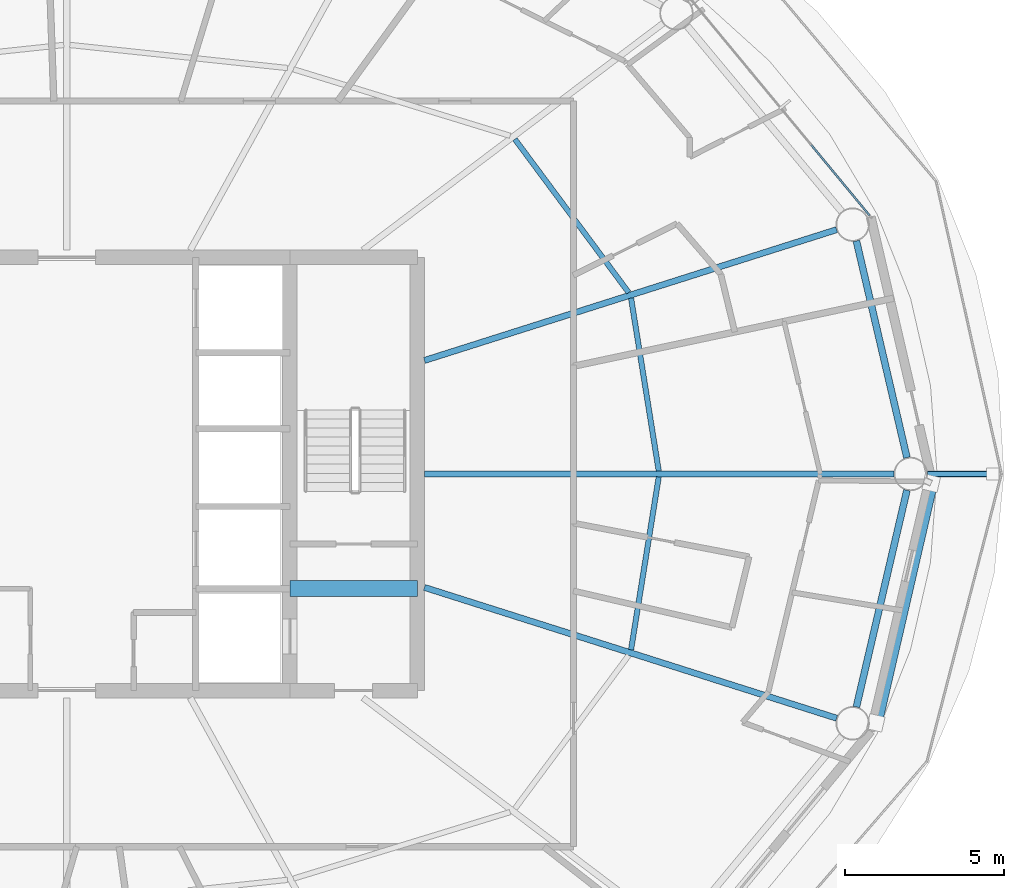
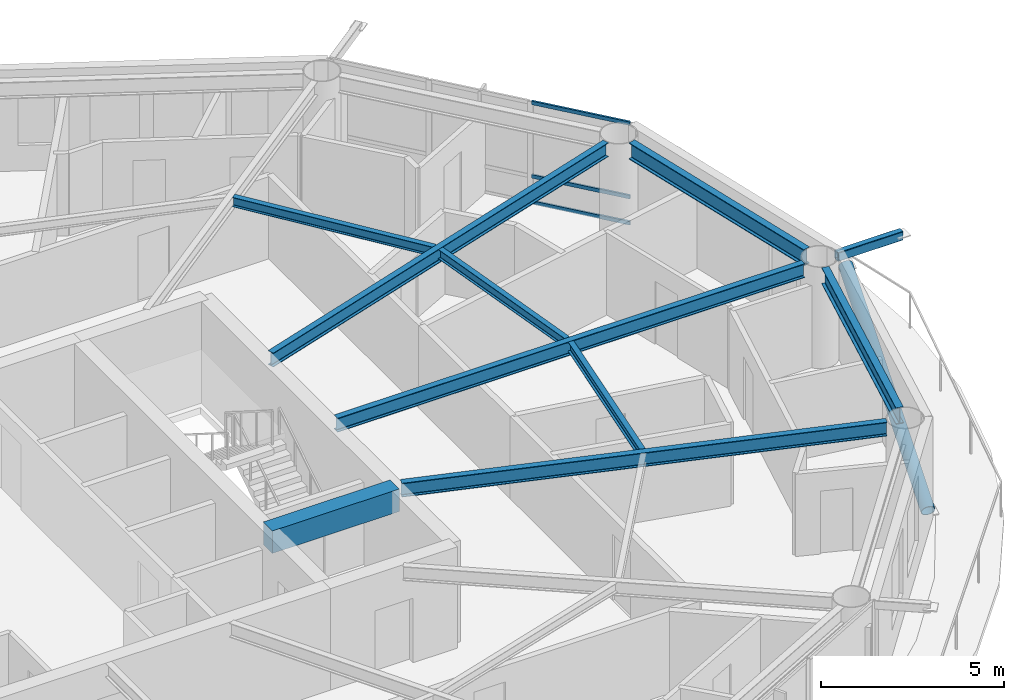
# One storey, part 8 of 30: 9 beams, 5 members, 1 element without a shape of its own.
"""IFC4 building model written with IfcOpenShell, lengths in metres."""

from ifc_helpers import new_model, si_unit, direction, frame, origin, origin_2d, place, context, subcontext, project, spatial, rectangle, hollow_rectangle, hollow_circle, i_section, extrude, material, layer, layer_set, material_profile, profile_set, type_object, element, aggregate, save


model = new_model("IFC4")

# Units and contexts
model_context = context("Model", 3, precision=1e-05, world=origin(), true_north=direction((0.0, 1.0)))
body_context = subcontext(model_context, "Body", "Model", "MODEL_VIEW")
ifc_project = project(units=[si_unit("LENGTHUNIT", "METRE"), si_unit("AREAUNIT", "SQUARE_METRE"), si_unit("VOLUMEUNIT", "CUBIC_METRE"), si_unit("PLANEANGLEUNIT", "RADIAN"), si_unit("MASSUNIT", "GRAM", prefix="KILO")], contexts=[model_context])

# Site, building, storey
site_placement = place(None, origin())
site = spatial("IfcSite", under=ifc_project, at=site_placement, CompositionType="ELEMENT")
building_placement = place(site_placement, origin())
building = spatial("IfcBuilding", under=site, at=building_placement, Name="Sarneth Arch Tower", CompositionType="ELEMENT")
storey_placement = place(building_placement, frame((0.0, 0.0, 168.60009765625)))
storey = spatial("IfcBuildingStorey", under=building, at=storey_placement, Name="L42", CompositionType="ELEMENT", Elevation=168.60009765625)

# Beams
ifc_material_1 = material(Name="Steel S355", Category="steel")
ifc_material_profile_1 = material_profile(ifc_material_1, i_section(OverallWidth=0.1669921875, OverallDepth=0.31689453125, WebThickness=0.007568359375, FlangeThickness=0.01318359375, FilletRadius=0.012939453125, at=origin_2d()), Name="W310x52")
ifc_profile_set_1 = profile_set([ifc_material_profile_1], Name="Steel S355")
beam_type_1 = type_object("IfcBeamType", Name="BM-JOIST-310B", PredefinedType="JOIST", material=ifc_profile_set_1)
beam_1_placement = place(storey_placement, frame((66.578125, 42.09521484375, 3.221435546875), z_axis=(-0.158262632389, 0.987397052451, 0.0), x_axis=(-0.987397052451, -0.158262632389, 0.0)))
element("IfcBeam", 1, at=beam_1_placement, inside=storey, type_object=beam_type_1, Name="L42 Secondary floor joist 01", PredefinedType="JOIST", context=body_context, shape_type="SweptSolid", body=[
    extrude(i_section(OverallWidth=0.1669921875, OverallDepth=0.31689453125, WebThickness=0.007568359375, FlangeThickness=0.01318359375, FilletRadius=0.012939453125, at=origin_2d()), origin(), (0.0, 0.0, 1.0), 5.493408203125),
])
beam_2_placement = place(storey_placement, frame((65.6357421875, 47.692138671875, 3.221435546875), z_axis=(-0.595933334016, 0.803033910497, 0.0), x_axis=(-0.803033910497, -0.595933334016, 0.0)))
element("IfcBeam", 2, at=beam_2_placement, inside=storey, type_object=beam_type_1, Name="L42 Secondary floor joist 02", PredefinedType="JOIST", context=body_context, shape_type="SweptSolid", body=[
    extrude(i_section(OverallWidth=0.1669921875, OverallDepth=0.31689453125, WebThickness=0.007568359375, FlangeThickness=0.01318359375, FilletRadius=0.012939453125, at=origin_2d()), origin(), (0.0, 0.0, 1.0), 5.99560546875),
])
beam_3_placement = place(storey_placement, frame((65.708740234375, 36.480712890625, 3.221435546875), z_axis=(0.158262632389, 0.987397052451, 0.0), x_axis=(-0.987397052451, 0.158262632389, 0.0)))
element("IfcBeam", 3, at=beam_3_placement, inside=storey, type_object=beam_type_1, Name="L42 Secondary floor joist 16", PredefinedType="JOIST", context=body_context, shape_type="SweptSolid", body=[
    extrude(i_section(OverallWidth=0.1669921875, OverallDepth=0.31689453125, WebThickness=0.007568359375, FlangeThickness=0.01318359375, FilletRadius=0.012939453125, at=origin_2d()), origin(), (0.0, 0.0, 1.0), 5.493408203125),
])
ifc_material_2 = material(Name="Concrete C50/60", Category="concrete")
ifc_material_profile_2 = material_profile(ifc_material_2, rectangle(XDim=0.5, YDim=0.75, at=origin_2d()), Name="RC-500x750")
ifc_profile_set_2 = profile_set([ifc_material_profile_2], Name="Concrete C50/60")
beam_type_2 = type_object("IfcBeamType", Name="BM-LINTEL-RC", PredefinedType="LINTEL", material=ifc_profile_set_2)
beam_4_placement = place(storey_placement, frame((55.0, 38.39990234375, 3.0048828125), z_axis=(1.0, 0.0, 0.0), x_axis=(0.0, 1.0, 0.0)))
element("IfcBeam", 4, at=beam_4_placement, inside=storey, type_object=beam_type_2, Name="L42 Core coupling lintel E", PredefinedType="LINTEL", context=body_context, shape_type="SweptSolid", body=[
    extrude(rectangle(XDim=0.5, YDim=0.75, at=origin_2d()), origin(), (0.0, 0.0, 1.0), 4.0),
])
ifc_material_3 = material(Name="Steel S355", Category="steel")
ifc_material_profile_3 = material_profile(ifc_material_3, i_section(OverallWidth=0.193115234375, OverallDepth=0.466064453125, WebThickness=0.011474609375, FlangeThickness=0.01904296875, FilletRadius=0.01806640625, at=origin_2d()), Name="W460x97")
ifc_profile_set_3 = profile_set([ifc_material_profile_3], Name="Steel S355")
beam_type_3 = type_object("IfcBeamType", Name="BM-RAD-460C", PredefinedType="BEAM", material=ifc_profile_set_3)
beam_5_placement = place(storey_placement, frame((59.22509765625, 42.0, 3.14697265625), z_axis=(1.0, 0.0, 0.0), x_axis=(0.0, 1.0, 0.0)))
element("IfcBeam", 5, at=beam_5_placement, inside=storey, type_object=beam_type_3, Name="L42 Radial floor girder 01", PredefinedType="BEAM", context=body_context, shape_type="SweptSolid", body=[
    extrude(i_section(OverallWidth=0.193115234375, OverallDepth=0.466064453125, WebThickness=0.011474609375, FlangeThickness=0.01904296875, FilletRadius=0.01806640625, at=origin_2d()), origin(), (0.0, 0.0, 1.0), 14.73681640625),
])
for number, where, z_axis, x_axis, name in (
    (6, (59.22509765625, 45.56201171875, 3.14697265625), (0.953163620049, 0.302455142815, 0.0), (-0.302455142815, 0.953163620049, 0.0), "L42 Radial floor girder 02"),
    (7, (59.22509765625, 38.43798828125, 3.14697265625), (0.953163620049, -0.302455142815, 0.0), (0.302455142815, 0.953163620049, 0.0), "L42 Radial floor girder 16"),
):
    element("IfcBeam", number, at=place(storey_placement, frame(where, z_axis=z_axis, x_axis=x_axis)), inside=storey, type_object=beam_type_3, Name=name, PredefinedType="BEAM", context=body_context, shape_type="SweptSolid", body=[
        extrude(i_section(OverallWidth=0.193115234375, OverallDepth=0.466064453125, WebThickness=0.011474609375, FlangeThickness=0.01904296875, FilletRadius=0.01806640625, at=origin_2d()), origin(), (0.0, 0.0, 1.0), 13.572265625),
    ])
ifc_material_4 = material(Name="Steel S355", Category="steel")
ifc_material_profile_4 = material_profile(ifc_material_4, i_section(OverallWidth=0.214111328125, OverallDepth=0.549072265625, WebThickness=0.0146484375, FlangeThickness=0.023681640625, FilletRadius=0.01806640625, at=origin_2d()), Name="W530x138")
ifc_profile_set_4 = profile_set([ifc_material_profile_4], Name="Steel S355")
beam_type_4 = type_object("IfcBeamType", Name="BM-RAD-530A", PredefinedType="BEAM", material=ifc_profile_set_4)
for number, where, z_axis, x_axis, name in (
    (8, (74.36767578125, 42.51123046875, 3.10546875), (-0.22708709918, 0.973874452579, 0.0), (-0.973874452579, -0.22708709918, 0.0), "L42 Perimeter spandrel beam 01"),
    (9, (72.78125, 34.685302734375, 3.10546875), (0.22708709918, 0.973874452579, 0.0), (-0.973874452579, 0.22708709918, 0.0), "L42 Perimeter spandrel beam 16"),
):
    element("IfcBeam", number, at=place(storey_placement, frame(where, z_axis=z_axis, x_axis=x_axis)), inside=storey, type_object=beam_type_4, Name=name, PredefinedType="BEAM", context=body_context, shape_type="SweptSolid", body=[
        extrude(i_section(OverallWidth=0.214111328125, OverallDepth=0.549072265625, WebThickness=0.0146484375, FlangeThickness=0.023681640625, FilletRadius=0.01806640625, at=origin_2d()), origin(), (0.0, 0.0, 1.0), 6.986083984375),
    ])

# Curtain wall, members
ifc_material_5 = material(Name="Anodised aluminium Type AA25 and solar-control low-e laminated IGU", Category="aluminium")
ifc_layer = layer(ifc_material_5, 0.169921875)
ifc_layer_set = layer_set([ifc_layer], Name="Anodised aluminium Type AA25 and solar-control low-e laminated IGU")
curtain_wall_type = type_object("IfcCurtainWallType", Name="CW-RES-MID", PredefinedType="NOTDEFINED", material=ifc_layer_set)
curtain_wall_placement = place(storey_placement, origin())
curtain_wall = element("IfcCurtainWall", 10, at=curtain_wall_placement, inside=storey, type_object=curtain_wall_type, Name="L42 Unitised curtain wall facet 02", PredefinedType="NOTDEFINED")
ifc_material_6 = material(Name="Anodised Aluminium 6063-T6", Category="aluminium")
ifc_material_profile_5 = material_profile(ifc_material_6, hollow_rectangle(XDim=0.06005859375, YDim=0.1201171875, WallThickness=0.00390625, at=origin_2d()), Name="AL-TRAN-120x60x4")
ifc_profile_set_5 = profile_set([ifc_material_profile_5], Name="Anodised Aluminium 6063-T6")
member_type_1 = type_object("IfcMemberType", Name="CW-TRANSOM", PredefinedType="USERDEFINED", material=ifc_profile_set_5)
member_1_placement = place(storey_placement, frame((73.194091796875, 50.11328125, 0.02978515625), z_axis=(-0.637358651504, 0.770567290607, 0.0), x_axis=(-0.770567290607, -0.637358651504, 0.0)))
member_1 = element("IfcMember", 11, at=member_1_placement, type_object=member_type_1, Name="CW-SYS-5 transom 1.1", ObjectType="TRANSOM", PredefinedType="USERDEFINED", context=body_context, shape_type="SweptSolid", body=[
    extrude(hollow_rectangle(XDim=0.06005859375, YDim=0.1201171875, WallThickness=0.00390625, at=origin_2d()), origin(), (0.0, 0.0, 1.0), 2.8681640625),
])
member_2_placement = place(storey_placement, frame((73.194091796875, 50.11328125, 0.89990234375), z_axis=(-0.637358651504, 0.770567290607, 0.0), x_axis=(-0.770567290607, -0.637358651504, 0.0)))
member_2 = element("IfcMember", 12, at=member_2_placement, type_object=member_type_1, Name="CW-SYS-5 transom 1.2", ObjectType="TRANSOM", PredefinedType="USERDEFINED", context=body_context, shape_type="SweptSolid", body=[
    extrude(hollow_rectangle(XDim=0.06005859375, YDim=0.1201171875, WallThickness=0.00390625, at=origin_2d()), origin(), (0.0, 0.0, 1.0), 2.8681640625),
])
member_3_placement = place(storey_placement, frame((73.194091796875, 50.11328125, 3.349853515625), z_axis=(-0.637358651504, 0.770567290607, 0.0), x_axis=(-0.770567290607, -0.637358651504, 0.0)))
member_3 = element("IfcMember", 13, at=member_3_placement, type_object=member_type_1, Name="CW-SYS-5 transom 1.3", ObjectType="TRANSOM", PredefinedType="USERDEFINED", context=body_context, shape_type="SweptSolid", body=[
    extrude(hollow_rectangle(XDim=0.06005859375, YDim=0.1201171875, WallThickness=0.00390625, at=origin_2d()), origin(), (0.0, 0.0, 1.0), 2.8681640625),
])
aggregate(curtain_wall, [member_1, member_2, member_3])

# Members
ifc_material_7 = material(Name="Steel S355", Category="steel")
ifc_material_profile_6 = material_profile(ifc_material_7, hollow_rectangle(XDim=0.199951171875, YDim=0.300048828125, WallThickness=0.012451171875, InnerFilletRadius=0.018798828125, OuterFilletRadius=0.03125, at=origin_2d()), Name="RHS300x200x12.5")
ifc_profile_set_6 = profile_set([ifc_material_profile_6], Name="Steel S355")
member_type_2 = type_object("IfcMemberType", Name="MEM-CANT-STRUT", PredefinedType="STRUT", material=ifc_profile_set_6)
member_4_placement = place(storey_placement, frame((75.011962890625, 42.0, 3.219970703125), z_axis=(1.0, 0.0, 0.0), x_axis=(0.0, 1.0, 0.0)))
element("IfcMember", 14, at=member_4_placement, inside=storey, type_object=member_type_2, Name="L42 Balcony cantilever bracket 01", PredefinedType="STRUT", context=body_context, shape_type="SweptSolid", body=[
    extrude(hollow_rectangle(XDim=0.199951171875, YDim=0.300048828125, WallThickness=0.012451171875, InnerFilletRadius=0.018798828125, OuterFilletRadius=0.03125, at=origin_2d()), origin(), (0.0, 0.0, 1.0), 2.0478515625),
])
ifc_material_8 = material(Name="Steel S355", Category="steel")
ifc_material_profile_7 = material_profile(ifc_material_8, hollow_circle(Radius=0.202880859375, WallThickness=0.01611328125, at=origin_2d()), Name="CHS406x16")
ifc_profile_set_7 = profile_set([ifc_material_profile_7], Name="Steel S355")
member_type_3 = type_object("IfcMemberType", Name="MEM-DIAG-BR2", PredefinedType="BRACE", material=ifc_profile_set_7)
member_5_placement = place(storey_placement, frame((73.390380859375, 34.18701171875, 0.02001953125), z_axis=(0.209646277215, 0.90691666474, 0.365445757488), x_axis=(-0.974306903917, 0.225224459107, 0.0)))
element("IfcMember", 15, at=member_5_placement, inside=storey, type_object=member_type_3, Name="L42 Perimeter frame diagonal 16", PredefinedType="BRACE", context=body_context, shape_type="SweptSolid", body=[
    extrude(hollow_circle(Radius=0.202880859375, WallThickness=0.01611328125, at=origin_2d()), origin(), (0.0, 0.0, 1.0), 8.292724609375),
])

save(model, "model.ifc")
